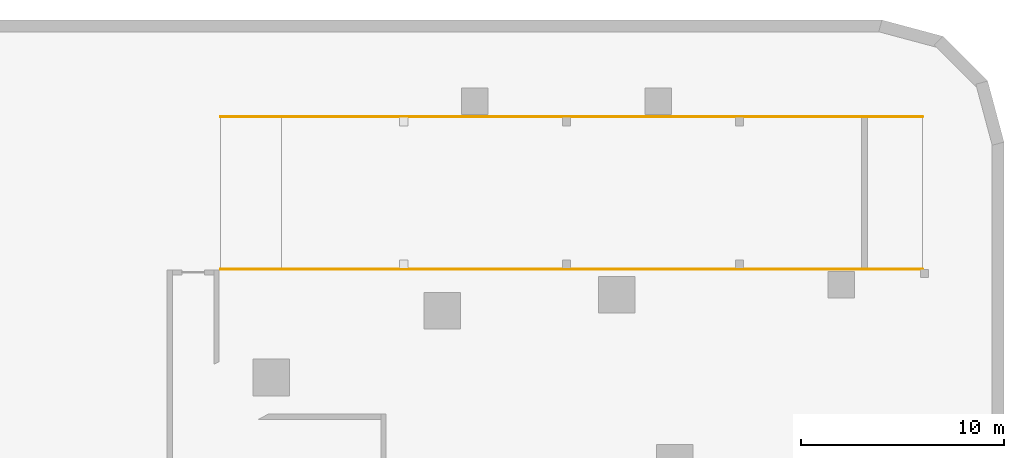
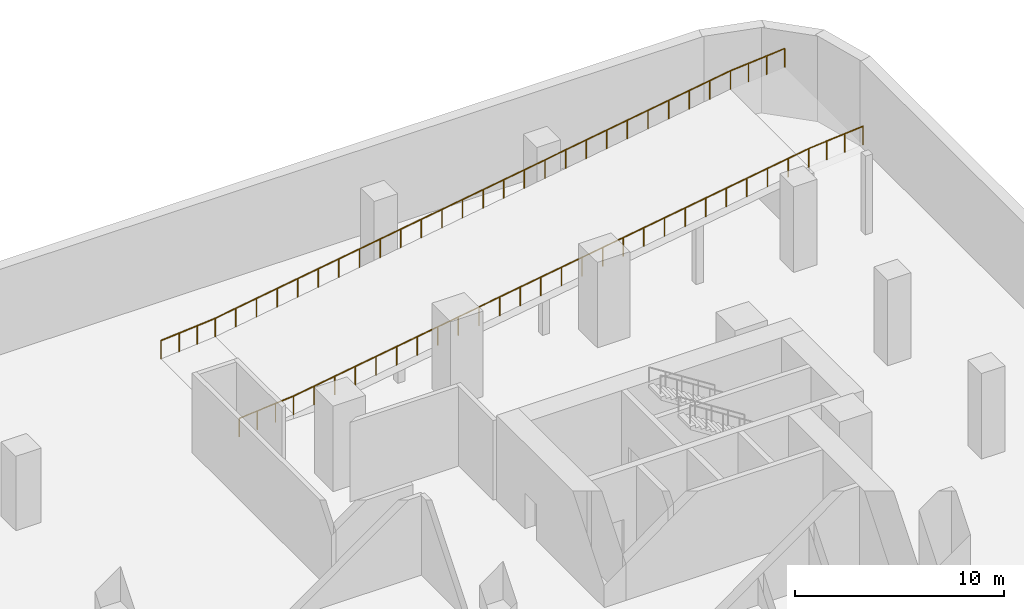
# One storey, part 9 of 9: 2 railings.
"""IFC4 building model written with IfcOpenShell, lengths in metres."""

from ifc_helpers import new_model, si_unit, direction, frame, origin, origin_2d, place, context, subcontext, project, spatial, circle, extrude, material, type_object, element, save


model = new_model("IFC4")

# Units and contexts
model_context = context("Model", 3, precision=1e-05, world=origin(), true_north=direction((0.0, 1.0)))
body_context = subcontext(model_context, "Body", "Model", "MODEL_VIEW")
ifc_project = project(units=[si_unit("LENGTHUNIT", "METRE"), si_unit("AREAUNIT", "SQUARE_METRE"), si_unit("VOLUMEUNIT", "CUBIC_METRE"), si_unit("PLANEANGLEUNIT", "RADIAN"), si_unit("MASSUNIT", "GRAM", prefix="KILO")], contexts=[model_context])

# Site, building, storey
site_placement = place(None, origin())
site = spatial("IfcSite", under=ifc_project, at=site_placement, CompositionType="ELEMENT")
building_placement = place(site_placement, origin())
building = spatial("IfcBuilding", under=site, at=building_placement, Name="Ostrand Prow Hotel Tower", CompositionType="ELEMENT")
storey_placement = place(building_placement, frame((0.0, 0.0, -5.0)))
storey = spatial("IfcBuildingStorey", under=building, at=storey_placement, Name="B1", CompositionType="ELEMENT", Elevation=-5.0)

# Railings
ifc_material = material(Name="Painted steel", Category="steel")
railing_type = type_object("IfcRailingType", Name="Ramp guard 1100", PredefinedType="GUARDRAIL", material=ifc_material)
railing_1_placement = place(storey_placement, frame((76.0, 35.25, 5.0)))
element("IfcRailing", 1, at=railing_1_placement, inside=storey, type_object=railing_type, Name="Ramp 1 guard", PredefinedType="GUARDRAIL", context=body_context, shape_type="SweptSolid", body=[
    extrude(circle(Radius=0.02392578125, at=origin_2d()), frame((0.0, 0.0, 1.076171875), z_axis=(-0.996545758245, 0.0, -0.083045479854), x_axis=(0.0, -1.0, 0.0)), (0.0, 0.0, 1.0), 3.010498046875),
    extrude(circle(Radius=0.02392578125, at=origin_2d()), frame((-3.0, 0.0, 0.826171875), z_axis=(-0.987762965329, 0.0, -0.155962573473), x_axis=(0.0, -1.0, 0.0)), (0.0, 0.0, 1.0), 28.85302734375),
    extrude(circle(Radius=0.02392578125, at=origin_2d()), frame((-31.5, 0.0, -3.673828125), z_axis=(-0.996545758245, 0.0, -0.083045479854), x_axis=(0.0, -1.0, 0.0)), (0.0, 0.0, 1.0), 3.010498046875),
    extrude(circle(Radius=0.02099609375, at=origin_2d()), origin(), (0.0, 0.0, 1.0), 1.052001953125),
    extrude(circle(Radius=0.02099609375, at=origin_2d()), frame((-1.0, 0.0, -0.083251953125)), (0.0, 0.0, 1.0), 1.052001953125),
    extrude(circle(Radius=0.02099609375, at=origin_2d()), frame((-2.0, 0.0, -0.166748046875)), (0.0, 0.0, 1.0), 1.052001953125),
    extrude(circle(Radius=0.02099609375, at=origin_2d()), frame((-3.0, 0.0, -0.25)), (0.0, 0.0, 1.0), 1.052001953125),
    extrude(circle(Radius=0.02099609375, at=origin_2d()), frame((-4.139892578125, 0.0, -0.429931640625)), (0.0, 0.0, 1.0), 1.052001953125),
    extrude(circle(Radius=0.02099609375, at=origin_2d()), frame((-5.280029296875, 0.0, -0.610107421875)), (0.0, 0.0, 1.0), 1.052001953125),
    extrude(circle(Radius=0.02099609375, at=origin_2d()), frame((-6.419921875, 0.0, -0.7900390625)), (0.0, 0.0, 1.0), 1.052001953125),
    extrude(circle(Radius=0.02099609375, at=origin_2d()), frame((-7.56005859375, 0.0, -0.969970703125)), (0.0, 0.0, 1.0), 1.052001953125),
    extrude(circle(Radius=0.02099609375, at=origin_2d()), frame((-8.699951171875, 0.0, -1.14990234375)), (0.0, 0.0, 1.0), 1.052001953125),
    extrude(circle(Radius=0.02099609375, at=origin_2d()), frame((-9.840087890625, 0.0, -1.330078125)), (0.0, 0.0, 1.0), 1.052001953125),
    extrude(circle(Radius=0.02099609375, at=origin_2d()), frame((-10.97998046875, 0.0, -1.510009765625)), (0.0, 0.0, 1.0), 1.052001953125),
    extrude(circle(Radius=0.02099609375, at=origin_2d()), frame((-12.1201171875, 0.0, -1.68994140625)), (0.0, 0.0, 1.0), 1.052001953125),
    extrude(circle(Radius=0.02099609375, at=origin_2d()), frame((-13.260009765625, 0.0, -1.8701171875)), (0.0, 0.0, 1.0), 1.052001953125),
    extrude(circle(Radius=0.02099609375, at=origin_2d()), frame((-14.39990234375, 0.0, -2.050048828125)), (0.0, 0.0, 1.0), 1.052001953125),
    extrude(circle(Radius=0.02099609375, at=origin_2d()), frame((-15.5400390625, 0.0, -2.22998046875)), (0.0, 0.0, 1.0), 1.052001953125),
    extrude(circle(Radius=0.02099609375, at=origin_2d()), frame((-16.679931640625, 0.0, -2.409912109375)), (0.0, 0.0, 1.0), 1.052001953125),
    extrude(circle(Radius=0.02099609375, at=origin_2d()), frame((-17.820068359375, 0.0, -2.590087890625)), (0.0, 0.0, 1.0), 1.052001953125),
    extrude(circle(Radius=0.02099609375, at=origin_2d()), frame((-18.9599609375, 0.0, -2.77001953125)), (0.0, 0.0, 1.0), 1.052001953125),
    extrude(circle(Radius=0.02099609375, at=origin_2d()), frame((-20.10009765625, 0.0, -2.949951171875)), (0.0, 0.0, 1.0), 1.052001953125),
    extrude(circle(Radius=0.02099609375, at=origin_2d()), frame((-21.239990234375, 0.0, -3.1298828125)), (0.0, 0.0, 1.0), 1.052001953125),
    extrude(circle(Radius=0.02099609375, at=origin_2d()), frame((-22.3798828125, 0.0, -3.31005859375)), (0.0, 0.0, 1.0), 1.052001953125),
    extrude(circle(Radius=0.02099609375, at=origin_2d()), frame((-23.52001953125, 0.0, -3.489990234375)), (0.0, 0.0, 1.0), 1.052001953125),
    extrude(circle(Radius=0.02099609375, at=origin_2d()), frame((-24.659912109375, 0.0, -3.669921875)), (0.0, 0.0, 1.0), 1.052001953125),
    extrude(circle(Radius=0.02099609375, at=origin_2d()), frame((-25.800048828125, 0.0, -3.85009765625)), (0.0, 0.0, 1.0), 1.052001953125),
    extrude(circle(Radius=0.02099609375, at=origin_2d()), frame((-26.93994140625, 0.0, -4.030029296875)), (0.0, 0.0, 1.0), 1.052001953125),
    extrude(circle(Radius=0.02099609375, at=origin_2d()), frame((-28.080078125, 0.0, -4.2099609375)), (0.0, 0.0, 1.0), 1.052001953125),
    extrude(circle(Radius=0.02099609375, at=origin_2d()), frame((-29.219970703125, 0.0, -4.389892578125)), (0.0, 0.0, 1.0), 1.052001953125),
    extrude(circle(Radius=0.02099609375, at=origin_2d()), frame((-30.360107421875, 0.0, -4.570068359375)), (0.0, 0.0, 1.0), 1.052001953125),
    extrude(circle(Radius=0.02099609375, at=origin_2d()), frame((-31.5, 0.0, -4.75)), (0.0, 0.0, 1.0), 1.052001953125),
    extrude(circle(Radius=0.02099609375, at=origin_2d()), frame((-32.5, 0.0, -4.833251953125)), (0.0, 0.0, 1.0), 1.052001953125),
    extrude(circle(Radius=0.02099609375, at=origin_2d()), frame((-33.5, 0.0, -4.916748046875)), (0.0, 0.0, 1.0), 1.052001953125),
    extrude(circle(Radius=0.02099609375, at=origin_2d()), frame((-34.5, 0.0, -5.0)), (0.0, 0.0, 1.0), 1.052001953125),
])
railing_2_placement = place(storey_placement, frame((76.0, 27.75, 5.0)))
element("IfcRailing", 2, at=railing_2_placement, inside=storey, type_object=railing_type, Name="Ramp 1 guard", PredefinedType="GUARDRAIL", context=body_context, shape_type="SweptSolid", body=[
    extrude(circle(Radius=0.02392578125, at=origin_2d()), frame((0.0, 0.0, 1.076171875), z_axis=(-0.996545758245, 0.0, -0.083045479854), x_axis=(0.0, -1.0, 0.0)), (0.0, 0.0, 1.0), 3.010498046875),
    extrude(circle(Radius=0.02392578125, at=origin_2d()), frame((-3.0, 0.0, 0.826171875), z_axis=(-0.987762965329, 0.0, -0.155962573473), x_axis=(0.0, -1.0, 0.0)), (0.0, 0.0, 1.0), 28.85302734375),
    extrude(circle(Radius=0.02392578125, at=origin_2d()), frame((-31.5, 0.0, -3.673828125), z_axis=(-0.996545758245, 0.0, -0.083045479854), x_axis=(0.0, -1.0, 0.0)), (0.0, 0.0, 1.0), 3.010498046875),
    extrude(circle(Radius=0.02099609375, at=origin_2d()), origin(), (0.0, 0.0, 1.0), 1.052001953125),
    extrude(circle(Radius=0.02099609375, at=origin_2d()), frame((-1.0, 0.0, -0.083251953125)), (0.0, 0.0, 1.0), 1.052001953125),
    extrude(circle(Radius=0.02099609375, at=origin_2d()), frame((-2.0, 0.0, -0.166748046875)), (0.0, 0.0, 1.0), 1.052001953125),
    extrude(circle(Radius=0.02099609375, at=origin_2d()), frame((-3.0, 0.0, -0.25)), (0.0, 0.0, 1.0), 1.052001953125),
    extrude(circle(Radius=0.02099609375, at=origin_2d()), frame((-4.139892578125, 0.0, -0.429931640625)), (0.0, 0.0, 1.0), 1.052001953125),
    extrude(circle(Radius=0.02099609375, at=origin_2d()), frame((-5.280029296875, 0.0, -0.610107421875)), (0.0, 0.0, 1.0), 1.052001953125),
    extrude(circle(Radius=0.02099609375, at=origin_2d()), frame((-6.419921875, 0.0, -0.7900390625)), (0.0, 0.0, 1.0), 1.052001953125),
    extrude(circle(Radius=0.02099609375, at=origin_2d()), frame((-7.56005859375, 0.0, -0.969970703125)), (0.0, 0.0, 1.0), 1.052001953125),
    extrude(circle(Radius=0.02099609375, at=origin_2d()), frame((-8.699951171875, 0.0, -1.14990234375)), (0.0, 0.0, 1.0), 1.052001953125),
    extrude(circle(Radius=0.02099609375, at=origin_2d()), frame((-9.840087890625, 0.0, -1.330078125)), (0.0, 0.0, 1.0), 1.052001953125),
    extrude(circle(Radius=0.02099609375, at=origin_2d()), frame((-10.97998046875, 0.0, -1.510009765625)), (0.0, 0.0, 1.0), 1.052001953125),
    extrude(circle(Radius=0.02099609375, at=origin_2d()), frame((-12.1201171875, 0.0, -1.68994140625)), (0.0, 0.0, 1.0), 1.052001953125),
    extrude(circle(Radius=0.02099609375, at=origin_2d()), frame((-13.260009765625, 0.0, -1.8701171875)), (0.0, 0.0, 1.0), 1.052001953125),
    extrude(circle(Radius=0.02099609375, at=origin_2d()), frame((-14.39990234375, 0.0, -2.050048828125)), (0.0, 0.0, 1.0), 1.052001953125),
    extrude(circle(Radius=0.02099609375, at=origin_2d()), frame((-15.5400390625, 0.0, -2.22998046875)), (0.0, 0.0, 1.0), 1.052001953125),
    extrude(circle(Radius=0.02099609375, at=origin_2d()), frame((-16.679931640625, 0.0, -2.409912109375)), (0.0, 0.0, 1.0), 1.052001953125),
    extrude(circle(Radius=0.02099609375, at=origin_2d()), frame((-17.820068359375, 0.0, -2.590087890625)), (0.0, 0.0, 1.0), 1.052001953125),
    extrude(circle(Radius=0.02099609375, at=origin_2d()), frame((-18.9599609375, 0.0, -2.77001953125)), (0.0, 0.0, 1.0), 1.052001953125),
    extrude(circle(Radius=0.02099609375, at=origin_2d()), frame((-20.10009765625, 0.0, -2.949951171875)), (0.0, 0.0, 1.0), 1.052001953125),
    extrude(circle(Radius=0.02099609375, at=origin_2d()), frame((-21.239990234375, 0.0, -3.1298828125)), (0.0, 0.0, 1.0), 1.052001953125),
    extrude(circle(Radius=0.02099609375, at=origin_2d()), frame((-22.3798828125, 0.0, -3.31005859375)), (0.0, 0.0, 1.0), 1.052001953125),
    extrude(circle(Radius=0.02099609375, at=origin_2d()), frame((-23.52001953125, 0.0, -3.489990234375)), (0.0, 0.0, 1.0), 1.052001953125),
    extrude(circle(Radius=0.02099609375, at=origin_2d()), frame((-24.659912109375, 0.0, -3.669921875)), (0.0, 0.0, 1.0), 1.052001953125),
    extrude(circle(Radius=0.02099609375, at=origin_2d()), frame((-25.800048828125, 0.0, -3.85009765625)), (0.0, 0.0, 1.0), 1.052001953125),
    extrude(circle(Radius=0.02099609375, at=origin_2d()), frame((-26.93994140625, 0.0, -4.030029296875)), (0.0, 0.0, 1.0), 1.052001953125),
    extrude(circle(Radius=0.02099609375, at=origin_2d()), frame((-28.080078125, 0.0, -4.2099609375)), (0.0, 0.0, 1.0), 1.052001953125),
    extrude(circle(Radius=0.02099609375, at=origin_2d()), frame((-29.219970703125, 0.0, -4.389892578125)), (0.0, 0.0, 1.0), 1.052001953125),
    extrude(circle(Radius=0.02099609375, at=origin_2d()), frame((-30.360107421875, 0.0, -4.570068359375)), (0.0, 0.0, 1.0), 1.052001953125),
    extrude(circle(Radius=0.02099609375, at=origin_2d()), frame((-31.5, 0.0, -4.75)), (0.0, 0.0, 1.0), 1.052001953125),
    extrude(circle(Radius=0.02099609375, at=origin_2d()), frame((-32.5, 0.0, -4.833251953125)), (0.0, 0.0, 1.0), 1.052001953125),
    extrude(circle(Radius=0.02099609375, at=origin_2d()), frame((-33.5, 0.0, -4.916748046875)), (0.0, 0.0, 1.0), 1.052001953125),
    extrude(circle(Radius=0.02099609375, at=origin_2d()), frame((-34.5, 0.0, -5.0)), (0.0, 0.0, 1.0), 1.052001953125),
])

save(model, "model.ifc")
